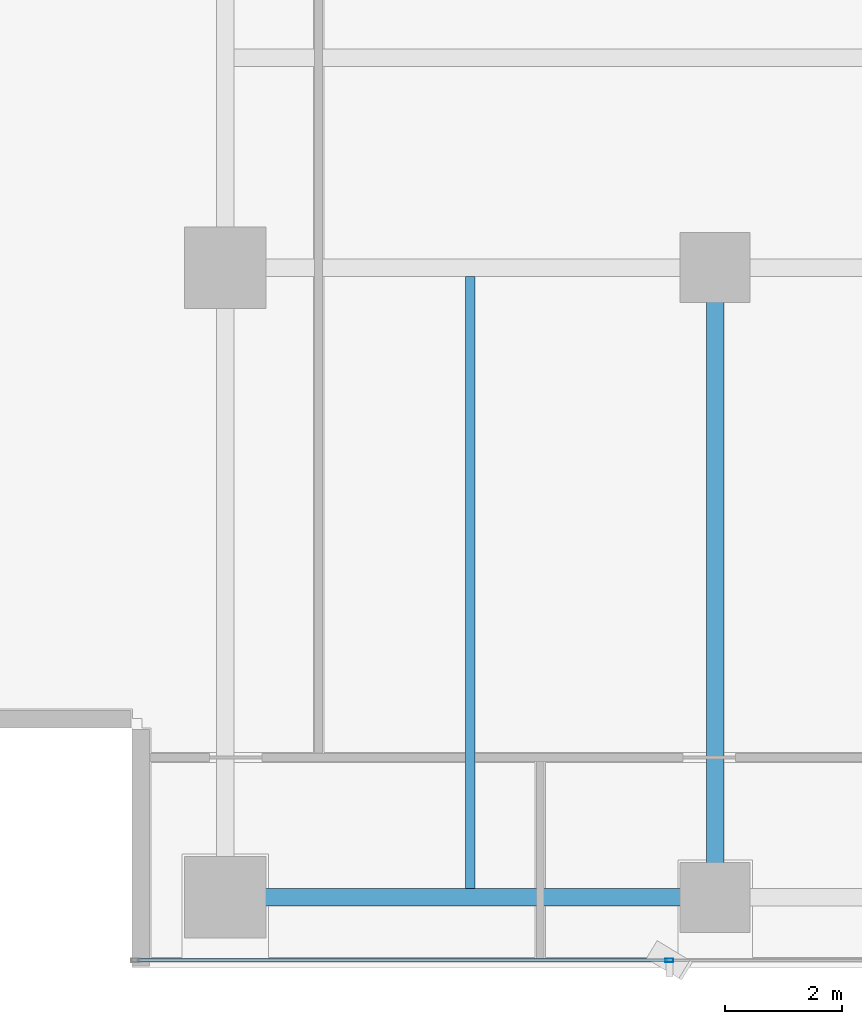
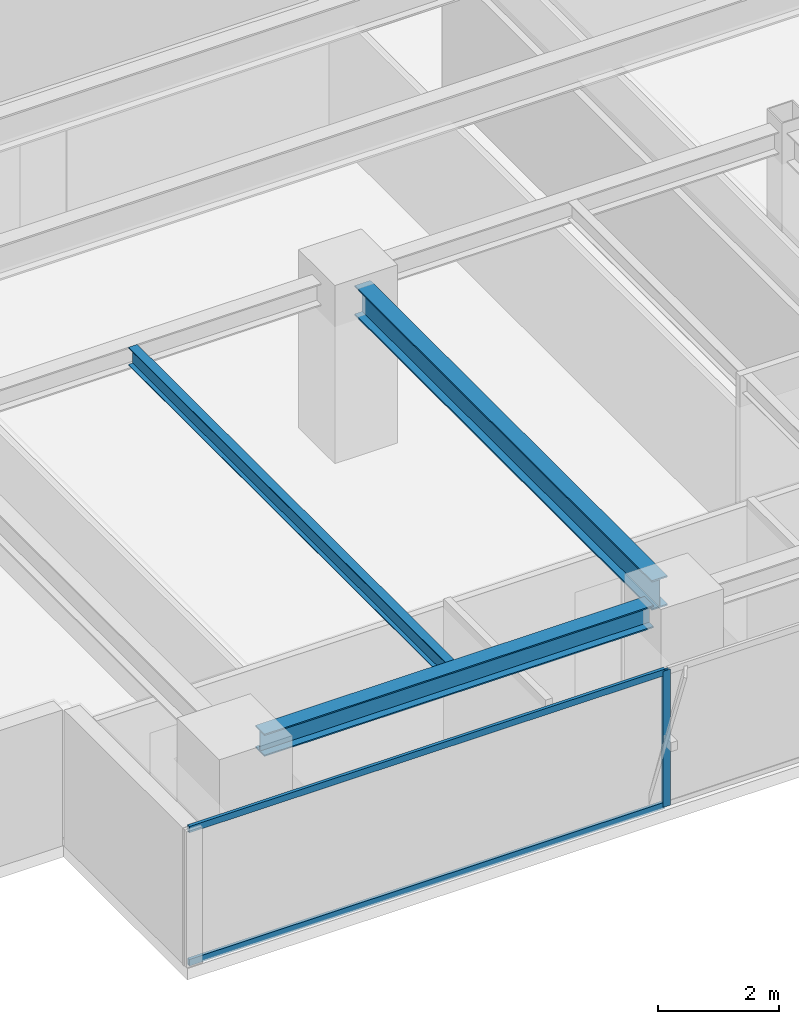
# One storey, part 3 of 26: 3 beams, 3 members, 1 element without a shape of its own.
"""IFC4 building model written with IfcOpenShell, lengths in metres."""

from ifc_helpers import new_model, si_unit, direction, frame, origin, origin_2d, place, context, subcontext, project, spatial, hollow_rectangle, i_section, extrude, source, transform, mapped, material, layer, layer_set, material_profile, profile_set, type_object, element, aggregate, save


model = new_model("IFC4")

# Units and contexts
model_context = context("Model", 3, precision=1e-05, world=origin(), true_north=direction((0.0, 1.0)))
body_context = subcontext(model_context, "Body", "Model", "MODEL_VIEW")
ifc_project = project(units=[si_unit("LENGTHUNIT", "METRE"), si_unit("AREAUNIT", "SQUARE_METRE"), si_unit("VOLUMEUNIT", "CUBIC_METRE"), si_unit("PLANEANGLEUNIT", "RADIAN"), si_unit("MASSUNIT", "GRAM", prefix="KILO")], contexts=[model_context])

# Site, building, storey
site_placement = place(None, origin())
site = spatial("IfcSite", under=ifc_project, at=site_placement, CompositionType="ELEMENT")
building_placement = place(site_placement, origin())
building = spatial("IfcBuilding", under=site, at=building_placement, Name="Sumidabori Civic Tower", CompositionType="ELEMENT")
storey_placement = place(building_placement, frame((0.0, 0.0, 236.0)))
storey = spatial("IfcBuildingStorey", under=building, at=storey_placement, Name="L61", CompositionType="ELEMENT", Elevation=236.0)

# Beams
ifc_material_1 = material(Name="Steel SN490", Category="steel")
ifc_material_profile_1 = material_profile(ifc_material_1, i_section(OverallWidth=0.300048828125, OverallDepth=0.60009765625, WebThickness=0.015380859375, FlangeThickness=0.030029296875, at=origin_2d()), Name="HE 600 B")
ifc_profile_set_1 = profile_set([ifc_material_profile_1], Name="Steel SN490")
beam_type_1 = type_object("IfcBeamType", Name="BM-GIRD-600", PredefinedType="BEAM", material=ifc_profile_set_1)
shared_shape_1 = source(origin(), body_context, "Body", "SweptSolid", [
    extrude(i_section(OverallWidth=0.300048828125, OverallDepth=0.60009765625, WebThickness=0.015380859375, FlangeThickness=0.030029296875, at=origin_2d()), origin(), (0.0, 0.0, 1.0), 9.840087890625),
])
beam_1_placement = place(storey_placement, frame((-8.39990234375, -10.320068359375, 3.070068359375), z_axis=(0.0, 1.0, 0.0), x_axis=(-1.0, 0.0, 0.0)))
element("IfcBeam", 1, at=beam_1_placement, inside=storey, type_object=beam_type_1, Name="Primary Girder L61 GY-12", PredefinedType="BEAM", context=body_context, shape_type="MappedRepresentation", body=[
    mapped(shared_shape_1, transform((0.0, 0.0, 0.0), x_axis=(1.0, 0.0, 0.0), y_axis=(0.0, 1.0, 0.0), z_axis=(0.0, 0.0, 1.0), scale=1.0)),
])
ifc_material_profile_2 = material_profile(ifc_material_1, i_section(OverallWidth=0.300048828125, OverallDepth=0.449951171875, WebThickness=0.013916015625, FlangeThickness=0.02587890625, at=origin_2d()), Name="HE 450 B")
ifc_profile_set_2 = profile_set([ifc_material_profile_2], Name="Steel SN490")
beam_type_2 = type_object("IfcBeamType", Name="BM-GIRD-450", PredefinedType="BEAM", material=ifc_profile_set_2)
shared_shape_2 = source(origin(), body_context, "Body", "SweptSolid", [
    extrude(i_section(OverallWidth=0.300048828125, OverallDepth=0.449951171875, WebThickness=0.013916015625, FlangeThickness=0.02587890625, at=origin_2d()), origin(), (0.0, 0.0, 1.0), 7.440185546875),
])
beam_2_placement = place(storey_placement, frame((-16.320068359375, -10.800048828125, 3.14501953125), z_axis=(1.0, 0.0, 0.0), x_axis=(0.0, 1.0, 0.0)))
element("IfcBeam", 2, at=beam_2_placement, inside=storey, type_object=beam_type_2, Name="Primary Girder L61 GX-01", PredefinedType="BEAM", context=body_context, shape_type="MappedRepresentation", body=[
    mapped(shared_shape_2, transform((0.0, 0.0, 0.0), x_axis=(1.0, 0.0, 0.0), y_axis=(0.0, 1.0, 0.0), z_axis=(0.0, 0.0, 1.0), scale=1.0)),
])
ifc_material_profile_3 = material_profile(ifc_material_1, i_section(OverallWidth=0.169921875, OverallDepth=0.360107421875, WebThickness=0.008056640625, FlangeThickness=0.0126953125, at=origin_2d()), Name="IPE 360")
ifc_profile_set_3 = profile_set([ifc_material_profile_3], Name="Steel SN490")
beam_type_3 = type_object("IfcBeamType", Name="BM-JST-360", PredefinedType="JOIST", material=ifc_profile_set_3)
shared_shape_3 = source(origin(), body_context, "Body", "SweptSolid", [
    extrude(i_section(OverallWidth=0.169921875, OverallDepth=0.360107421875, WebThickness=0.008056640625, FlangeThickness=0.0126953125, at=origin_2d()), origin(), (0.0, 0.0, 1.0), 10.5),
])
beam_3_placement = place(storey_placement, frame((-12.60009765625, -10.64990234375, 3.18994140625), z_axis=(0.0, 1.0, 0.0), x_axis=(-1.0, 0.0, 0.0)))
element("IfcBeam", 3, at=beam_3_placement, inside=storey, type_object=beam_type_3, Name="Upper Lens N-S Floor Joist L61 JSTV-20", PredefinedType="JOIST", context=body_context, shape_type="MappedRepresentation", body=[
    mapped(shared_shape_3, transform((0.0, 0.0, 0.0), x_axis=(1.0, 0.0, 0.0), y_axis=(0.0, 1.0, 0.0), z_axis=(0.0, 0.0, 1.0), scale=1.0)),
])

# Curtain wall, members
ifc_material_2 = material(Name="Anodised Bronze Aluminium AW-6063-T6", Category="aluminium")
ifc_layer = layer(ifc_material_2, 0.179931640625, Name="Anodised Bronze Aluminium AW-6063-T6")
ifc_layer_set = layer_set([ifc_layer], Name="Anodised Bronze Aluminium AW-6063-T6")
curtain_wall_type = type_object("IfcCurtainWallType", Name="CW-SYS-5", PredefinedType="NOTDEFINED", material=ifc_layer_set)
curtain_wall_placement = place(storey_placement, origin())
curtain_wall = element("IfcCurtainWall", 4, at=curtain_wall_placement, inside=storey, type_object=curtain_wall_type, Name="Curtain Wall CW:L61:R01", PredefinedType="NOTDEFINED")
ifc_material_profile_4 = material_profile(ifc_material_2, hollow_rectangle(XDim=0.06005859375, YDim=0.1298828125, WallThickness=0.0048828125, at=origin_2d()), Name="ALU TRANSOM 130x60")
ifc_profile_set_4 = profile_set([ifc_material_profile_4], Name="Anodised Bronze Aluminium AW-6063-T6")
member_type_1 = type_object("IfcMemberType", Name="CW-TRN-130", PredefinedType="USERDEFINED", material=ifc_profile_set_4)
shared_shape_4 = source(origin(), body_context, "Body", "SweptSolid", [
    extrude(hollow_rectangle(XDim=0.06005859375, YDim=0.1298828125, WallThickness=0.0048828125, at=origin_2d()), origin(), (0.0, 0.0, 1.0), 9.094970703125),
])
member_1_placement = place(storey_placement, frame((-18.31005859375, -11.8798828125, 0.030029296875), z_axis=(1.0, 0.0, 0.0), x_axis=(0.0, 1.0, 0.0)))
member_1 = element("IfcMember", 5, at=member_1_placement, type_object=member_type_1, Name="CW-5 transom 1.1", ObjectType="TRANSOM", PredefinedType="USERDEFINED", context=body_context, shape_type="MappedRepresentation", body=[
    mapped(shared_shape_4, transform((0.0, 0.0, 0.0), x_axis=(1.0, 0.0, 0.0), y_axis=(0.0, 1.0, 0.0), z_axis=(0.0, 0.0, 1.0), scale=1.0)),
])
member_2_placement = place(storey_placement, frame((-18.31005859375, -11.8798828125, 2.719970703125), z_axis=(1.0, 0.0, 0.0), x_axis=(0.0, 1.0, 0.0)))
member_2 = element("IfcMember", 6, at=member_2_placement, type_object=member_type_1, Name="CW-5 transom 1.2", ObjectType="TRANSOM", PredefinedType="USERDEFINED", context=body_context, shape_type="MappedRepresentation", body=[
    mapped(shared_shape_4, transform((0.0, 0.0, 0.0), x_axis=(1.0, 0.0, 0.0), y_axis=(0.0, 1.0, 0.0), z_axis=(0.0, 0.0, 1.0), scale=1.0)),
])
ifc_material_profile_5 = material_profile(ifc_material_2, hollow_rectangle(XDim=0.06005859375, YDim=0.139892578125, WallThickness=0.0048828125, at=origin_2d()), Name="ALU MULLION 140x60")
ifc_profile_set_5 = profile_set([ifc_material_profile_5], Name="Anodised Bronze Aluminium AW-6063-T6")
member_type_2 = type_object("IfcMemberType", Name="CW-MUL-140", PredefinedType="MULLION", material=ifc_profile_set_5)
shared_shape_5 = source(origin(), body_context, "Body", "SweptSolid", [
    extrude(hollow_rectangle(XDim=0.06005859375, YDim=0.139892578125, WallThickness=0.0048828125, at=origin_2d()), origin(), (0.0, 0.0, 1.0), 2.75),
])
member_3_placement = place(storey_placement, frame((-9.18505859375, -11.8798828125, 0.0), z_axis=(0.0, 0.0, 1.0), x_axis=(0.0, 1.0, 0.0)))
member_3 = element("IfcMember", 7, at=member_3_placement, type_object=member_type_2, Name="CW-5 mullion 2", PredefinedType="MULLION", context=body_context, shape_type="MappedRepresentation", body=[
    mapped(shared_shape_5, transform((0.0, 0.0, 0.0), x_axis=(1.0, 0.0, 0.0), y_axis=(0.0, 1.0, 0.0), z_axis=(0.0, 0.0, 1.0), scale=1.0)),
])
aggregate(curtain_wall, [member_3, member_1, member_2])

save(model, "model.ifc")
